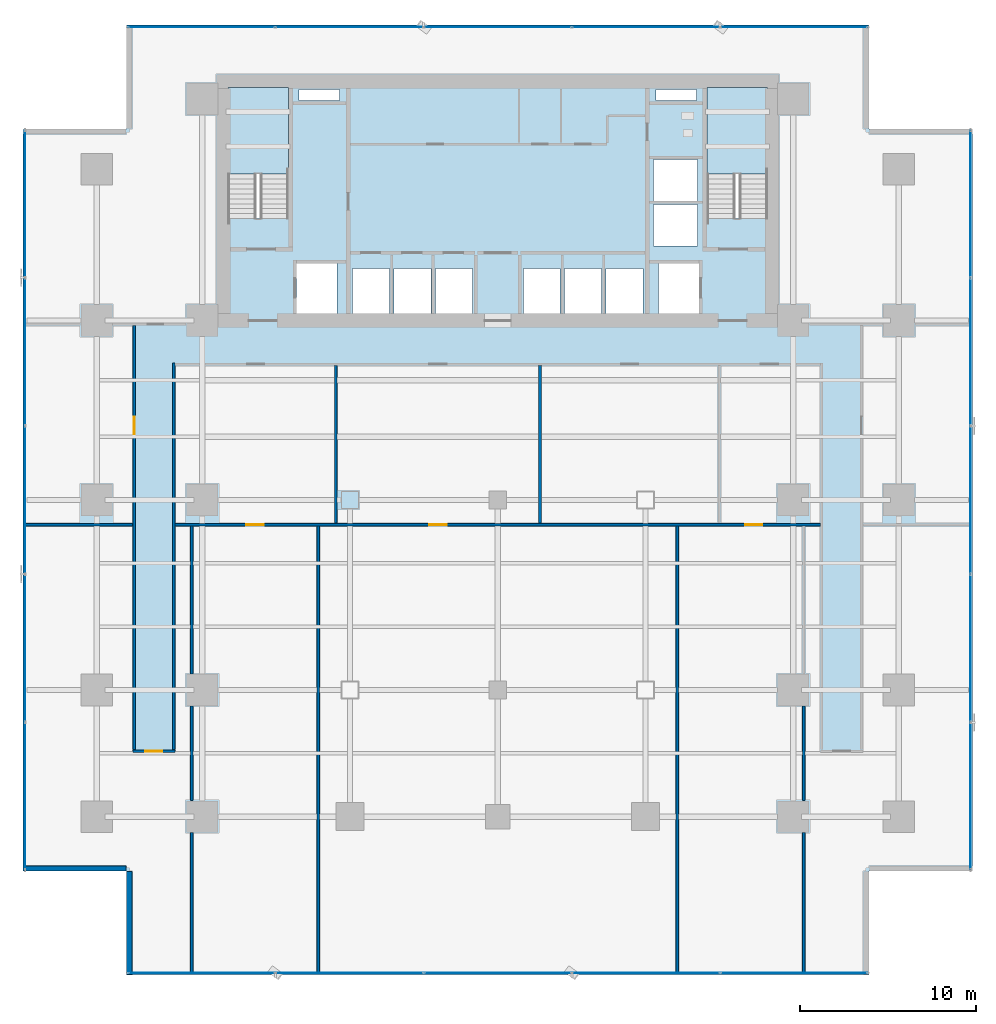
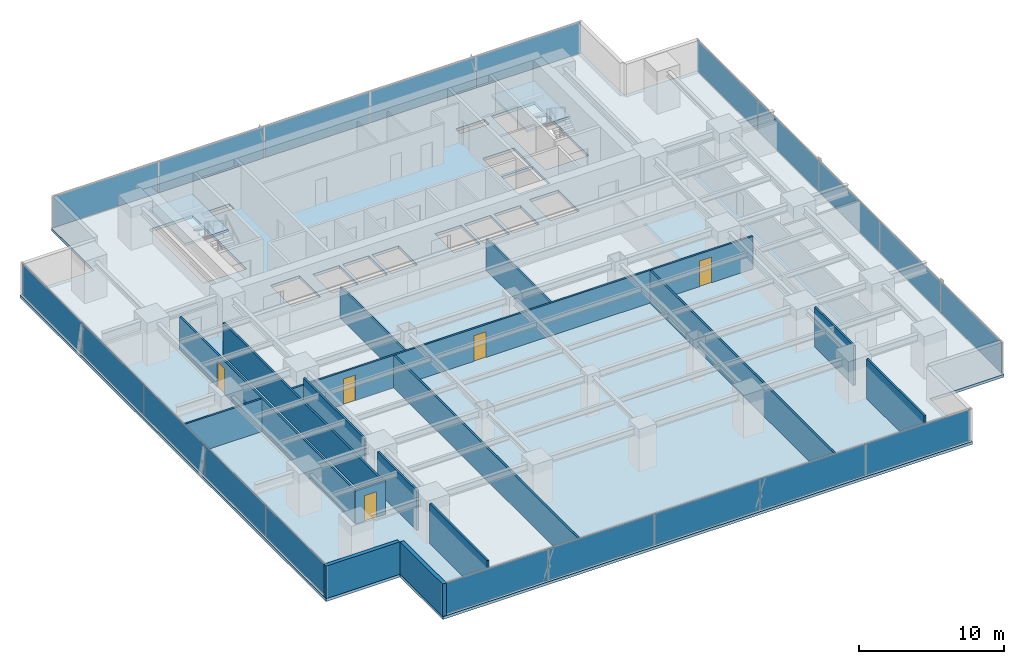
# One storey, part 23 of 32: 20 plates, 16 walls, 5 doors, 3 slabs, 5 openings, 6 elements without a shape of their own.
"""IFC4 building model written with IfcOpenShell, lengths in metres."""

from ifc_helpers import new_model, si_unit, direction, frame, frame_2d, origin, origin_2d, place, context, subcontext, project, spatial, polyline, rectangle, outline, extrude, source, transform, mapped, material, layer, layer_set, type_object, element, fill, aggregate, save


model = new_model("IFC4")

# Units and contexts
model_context = context("Model", 3, precision=1e-05, world=origin(), true_north=direction((0.0, 1.0)))
body_context = subcontext(model_context, "Body", "Model", "MODEL_VIEW")
ifc_project = project(units=[si_unit("LENGTHUNIT", "METRE"), si_unit("AREAUNIT", "SQUARE_METRE"), si_unit("VOLUMEUNIT", "CUBIC_METRE"), si_unit("PLANEANGLEUNIT", "RADIAN"), si_unit("MASSUNIT", "GRAM", prefix="KILO")], contexts=[model_context])

# Site, building, storey
site_placement = place(None, origin())
site = spatial("IfcSite", under=ifc_project, at=site_placement, CompositionType="ELEMENT")
building_placement = place(site_placement, origin())
building = spatial("IfcBuilding", under=site, at=building_placement, Name="Sumidabori Civic Tower", CompositionType="ELEMENT")
storey_placement = place(building_placement, frame((0.0, 0.0, 45.199951171875)))
storey = spatial("IfcBuildingStorey", under=building, at=storey_placement, Name="L11", CompositionType="ELEMENT", Elevation=45.199951171875)

# Stair, slab
ifc_material_1 = material(Name="Concrete C40/50", Category="concrete")
stair_type = type_object("IfcStairType", Name="ST-CORE-1600", PredefinedType="HALF_TURN_STAIR", material=ifc_material_1)
stair_1_placement = place(storey_placement, origin())
stair_1 = element("IfcStair", 1, at=stair_1_placement, inside=storey, type_object=stair_type, Name="L11 ST-1", PredefinedType="HALF_TURN_STAIR")
ifc_layer_1 = layer(ifc_material_1, 0.199951171875, Name="Concrete C40/50")
ifc_layer_set_1 = layer_set([ifc_layer_1], Name="Concrete C40/50")
slab_type_1 = type_object("IfcSlabType", Name="SL-LAND-200", PredefinedType="LANDING", material=ifc_layer_set_1)
slab_1_placement = place(storey_placement, frame((0.0, 0.0, 1.60009765625)))
slab_1 = element("IfcSlab", 2, at=slab_1_placement, type_object=slab_type_1, Name="ST-1 landing 1", PredefinedType="LANDING", context=body_context, shape_type="SweptSolid", body=[
    extrude(outline(polyline([(-11.89990234375, 18.52001953125), (-11.89990234375, 23.449951171875), (-15.340087890625, 23.449951171875), (-15.340087890625, 18.52001953125), (-11.89990234375, 18.52001953125)])), origin(), (0.0, 0.0, 1.0), 0.199951171875),
])
aggregate(stair_1, [slab_1])

stair_2_placement = place(storey_placement, origin())
stair_2 = element("IfcStair", 3, at=stair_2_placement, inside=storey, type_object=stair_type, Name="L11 ST-2", PredefinedType="HALF_TURN_STAIR")
slab_2_placement = place(storey_placement, frame((0.0, 0.0, 1.60009765625)))
slab_2 = element("IfcSlab", 4, at=slab_2_placement, type_object=slab_type_1, Name="ST-2 landing 1", PredefinedType="LANDING", context=body_context, shape_type="SweptSolid", body=[
    extrude(outline(polyline([(15.340087890625, 18.52001953125), (15.340087890625, 23.449951171875), (11.89990234375, 23.449951171875), (11.89990234375, 18.52001953125), (15.340087890625, 18.52001953125)])), origin(), (0.0, 0.0, 1.0), 0.199951171875),
])
aggregate(stair_2, [slab_2])

# Slab
ifc_layer_2 = layer(ifc_material_1, 0.239990234375, Name="Concrete C40/50")
ifc_layer_set_2 = layer_set([ifc_layer_2], Name="Concrete C40/50")
slab_type_2 = type_object("IfcSlabType", Name="SL-Z1-240", PredefinedType="FLOOR", material=ifc_layer_set_2)
slab_3_placement = place(storey_placement, frame((0.0, 0.0, -0.239990234375)))
element("IfcSlab", 5, at=slab_3_placement, inside=storey, type_object=slab_type_2, Name="Structural Slab L11", PredefinedType="FLOOR", context=body_context, shape_type="SweptSolid", body=[
    extrude(outline(polyline([(-21.10009765625, -27.0), (21.10009765625, -27.0), (21.10009765625, -21.10009765625), (27.0, -21.10009765625), (27.0, 21.10009765625), (21.10009765625, 21.10009765625), (21.10009765625, 27.0), (-21.10009765625, 27.0), (-21.10009765625, 21.10009765625), (-27.0, 21.10009765625), (-27.0, -21.10009765625), (-21.10009765625, -21.10009765625), (-21.10009765625, -27.0)]), holes=[polyline([(-11.89990234375, 16.0), (-11.89990234375, 23.449951171875), (-15.340087890625, 23.449951171875), (-15.340087890625, 16.0), (-11.89990234375, 16.0)]), polyline([(15.340087890625, 16.0), (15.340087890625, 23.449951171875), (11.89990234375, 23.449951171875), (11.89990234375, 16.0), (15.340087890625, 16.0)]), polyline([(-11.449951171875, 10.550048828125), (-9.14990234375, 10.550048828125), (-9.14990234375, 13.449951171875), (-11.449951171875, 13.449951171875), (-11.449951171875, 10.550048828125)]), polyline([(9.14990234375, 10.550048828125), (11.449951171875, 10.550048828125), (11.449951171875, 13.449951171875), (9.14990234375, 13.449951171875), (9.14990234375, 10.550048828125)]), polyline([(-8.25, 10.550048828125), (-6.14990234375, 10.550048828125), (-6.14990234375, 13.14990234375), (-8.25, 13.14990234375), (-8.25, 10.550048828125)]), polyline([(-5.89990234375, 10.550048828125), (-3.800048828125, 10.550048828125), (-3.800048828125, 13.14990234375), (-5.89990234375, 13.14990234375), (-5.89990234375, 10.550048828125)]), polyline([(-3.550048828125, 10.550048828125), (-1.449951171875, 10.550048828125), (-1.449951171875, 13.14990234375), (-3.550048828125, 13.14990234375), (-3.550048828125, 10.550048828125)]), polyline([(1.449951171875, 10.550048828125), (3.550048828125, 10.550048828125), (3.550048828125, 13.14990234375), (1.449951171875, 13.14990234375), (1.449951171875, 10.550048828125)]), polyline([(3.800048828125, 10.550048828125), (5.89990234375, 10.550048828125), (5.89990234375, 13.14990234375), (3.800048828125, 13.14990234375), (3.800048828125, 10.550048828125)]), polyline([(6.14990234375, 10.550048828125), (8.25, 10.550048828125), (8.25, 13.14990234375), (6.14990234375, 13.14990234375), (6.14990234375, 10.550048828125)]), polyline([(8.85009765625, 14.449951171875), (11.35009765625, 14.449951171875), (11.35009765625, 16.800048828125), (8.85009765625, 16.800048828125), (8.85009765625, 14.449951171875)]), polyline([(8.85009765625, 17.0), (11.35009765625, 17.0), (11.35009765625, 19.35009765625), (8.85009765625, 19.35009765625), (8.85009765625, 17.0)]), polyline([(-11.300048828125, 22.719970703125), (-9.0, 22.719970703125), (-9.0, 23.35009765625), (-11.300048828125, 23.35009765625), (-11.300048828125, 22.719970703125)]), polyline([(9.0, 22.719970703125), (11.300048828125, 22.719970703125), (11.300048828125, 23.35009765625), (9.0, 23.35009765625), (9.0, 22.719970703125)])]), origin(), (0.0, 0.0, 1.0), 0.239990234375),
])

# Curtain wall, plates
ifc_material_2 = material(Name="Anodised Bronze Aluminium AW-6063-T6", Category="aluminium")
ifc_layer_3 = layer(ifc_material_2, 0.179931640625, Name="Anodised Bronze Aluminium AW-6063-T6")
ifc_layer_set_3 = layer_set([ifc_layer_3], Name="Anodised Bronze Aluminium AW-6063-T6")
curtain_wall_type = type_object("IfcCurtainWallType", Name="CW-SYS-2", PredefinedType="NOTDEFINED", material=ifc_layer_set_3)
curtain_wall_1_placement = place(storey_placement, origin())
curtain_wall_1 = element("IfcCurtainWall", 6, at=curtain_wall_1_placement, inside=storey, type_object=curtain_wall_type, Name="Curtain Wall CW:L11:R01", PredefinedType="NOTDEFINED")
ifc_material_3 = material(Name="Low-E Solar-Control Vision Glazing", Category="glass")
ifc_layer_4 = layer(ifc_material_3, 0.028076171875, Name="Low-E Solar-Control Vision Glazing")
ifc_layer_set_4 = layer_set([ifc_layer_4], Name="Low-E Solar-Control Vision Glazing")
plate_type = type_object("IfcPlateType", Name="CW-PNL-28", PredefinedType="CURTAIN_PANEL", material=ifc_layer_set_4)
shared_shape_1 = source(origin(), body_context, "Body", "SweptSolid", [
    extrude(rectangle(XDim=8.322998046875, YDim=0.028076171875, at=origin_2d()), origin(), (0.0, 0.0, 1.0), 2.610107421875),
])
plate_1_placement = place(storey_placement, frame((-16.83837890625, -26.8798828125, 0.06494140625), z_axis=(0.0, 0.0, 1.0), x_axis=(1.0, 0.0, 0.0)))
plate_1 = element("IfcPlate", 7, at=plate_1_placement, type_object=plate_type, Name="CW-2 panel 1.1", PredefinedType="CURTAIN_PANEL", context=body_context, shape_type="MappedRepresentation", body=[
    mapped(shared_shape_1, transform((0.0, 0.0, 0.0), x_axis=(1.0, 0.0, 0.0), y_axis=(0.0, 1.0, 0.0), z_axis=(0.0, 0.0, 1.0), scale=1.0)),
])
plate_2_placement = place(storey_placement, frame((16.83837890625, -26.8798828125, 0.06494140625), z_axis=(0.0, 0.0, 1.0), x_axis=(1.0, 0.0, 0.0)))
plate_2 = element("IfcPlate", 8, at=plate_2_placement, type_object=plate_type, Name="CW-2 panel 5.1", PredefinedType="CURTAIN_PANEL", context=body_context, shape_type="MappedRepresentation", body=[
    mapped(shared_shape_1, transform((0.0, 0.0, 0.0), x_axis=(1.0, 0.0, 0.0), y_axis=(0.0, 1.0, 0.0), z_axis=(0.0, 0.0, 1.0), scale=1.0)),
])

curtain_wall_2_placement = place(storey_placement, origin())
curtain_wall_2 = element("IfcCurtainWall", 9, at=curtain_wall_2_placement, inside=storey, type_object=curtain_wall_type, Name="Curtain Wall CW:L11:R04", PredefinedType="NOTDEFINED")
plate_3_placement = place(storey_placement, frame((26.8798828125, -16.83837890625, 0.06494140625), z_axis=(0.0, 0.0, 1.0), x_axis=(0.0, 1.0, 0.0)))
plate_3 = element("IfcPlate", 10, at=plate_3_placement, type_object=plate_type, Name="CW-2 panel 1.1", PredefinedType="CURTAIN_PANEL", context=body_context, shape_type="MappedRepresentation", body=[
    mapped(shared_shape_1, transform((0.0, 0.0, 0.0), x_axis=(1.0, 0.0, 0.0), y_axis=(0.0, 1.0, 0.0), z_axis=(0.0, 0.0, 1.0), scale=1.0)),
])
plate_4_placement = place(storey_placement, frame((26.8798828125, 16.83837890625, 0.06494140625), z_axis=(0.0, 0.0, 1.0), x_axis=(0.0, 1.0, 0.0)))
plate_4 = element("IfcPlate", 11, at=plate_4_placement, type_object=plate_type, Name="CW-2 panel 5.1", PredefinedType="CURTAIN_PANEL", context=body_context, shape_type="MappedRepresentation", body=[
    mapped(shared_shape_1, transform((0.0, 0.0, 0.0), x_axis=(1.0, 0.0, 0.0), y_axis=(0.0, 1.0, 0.0), z_axis=(0.0, 0.0, 1.0), scale=1.0)),
])

curtain_wall_3_placement = place(storey_placement, origin())
curtain_wall_3 = element("IfcCurtainWall", 12, at=curtain_wall_3_placement, inside=storey, type_object=curtain_wall_type, Name="Curtain Wall CW:L11:R07", PredefinedType="NOTDEFINED")
plate_5_placement = place(storey_placement, frame((16.83837890625, 26.8798828125, 0.06494140625), z_axis=(0.0, 0.0, 1.0), x_axis=(-1.0, 0.0, 0.0)))
plate_5 = element("IfcPlate", 13, at=plate_5_placement, type_object=plate_type, Name="CW-2 panel 1.1", PredefinedType="CURTAIN_PANEL", context=body_context, shape_type="MappedRepresentation", body=[
    mapped(shared_shape_1, transform((0.0, 0.0, 0.0), x_axis=(1.0, 0.0, 0.0), y_axis=(0.0, 1.0, 0.0), z_axis=(0.0, 0.0, 1.0), scale=1.0)),
])
plate_6_placement = place(storey_placement, frame((-16.83837890625, 26.8798828125, 0.06494140625), z_axis=(0.0, 0.0, 1.0), x_axis=(-1.0, 0.0, 0.0)))
plate_6 = element("IfcPlate", 14, at=plate_6_placement, type_object=plate_type, Name="CW-2 panel 5.1", PredefinedType="CURTAIN_PANEL", context=body_context, shape_type="MappedRepresentation", body=[
    mapped(shared_shape_1, transform((0.0, 0.0, 0.0), x_axis=(1.0, 0.0, 0.0), y_axis=(0.0, 1.0, 0.0), z_axis=(0.0, 0.0, 1.0), scale=1.0)),
])

curtain_wall_4_placement = place(storey_placement, origin())
curtain_wall_4 = element("IfcCurtainWall", 15, at=curtain_wall_4_placement, inside=storey, type_object=curtain_wall_type, Name="Curtain Wall CW:L11:R10", PredefinedType="NOTDEFINED")
plate_7_placement = place(storey_placement, frame((-26.8798828125, 16.83837890625, 0.06494140625), z_axis=(0.0, 0.0, 1.0), x_axis=(0.0, -1.0, 0.0)))
plate_7 = element("IfcPlate", 16, at=plate_7_placement, type_object=plate_type, Name="CW-2 panel 1.1", PredefinedType="CURTAIN_PANEL", context=body_context, shape_type="MappedRepresentation", body=[
    mapped(shared_shape_1, transform((0.0, 0.0, 0.0), x_axis=(1.0, 0.0, 0.0), y_axis=(0.0, 1.0, 0.0), z_axis=(0.0, 0.0, 1.0), scale=1.0)),
])
plate_8_placement = place(storey_placement, frame((-26.8798828125, -16.83837890625, 0.06494140625), z_axis=(0.0, 0.0, 1.0), x_axis=(0.0, -1.0, 0.0)))
plate_8 = element("IfcPlate", 17, at=plate_8_placement, type_object=plate_type, Name="CW-2 panel 5.1", PredefinedType="CURTAIN_PANEL", context=body_context, shape_type="MappedRepresentation", body=[
    mapped(shared_shape_1, transform((0.0, 0.0, 0.0), x_axis=(1.0, 0.0, 0.0), y_axis=(0.0, 1.0, 0.0), z_axis=(0.0, 0.0, 1.0), scale=1.0)),
])

# Plate
shared_shape_2 = source(origin(), body_context, "Body", "SweptSolid", [
    extrude(rectangle(XDim=8.35791015625, YDim=0.028076171875, at=origin_2d()), origin(), (0.0, 0.0, 1.0), 2.610107421875),
])
plate_9_placement = place(storey_placement, frame((-8.427978515625, -26.8798828125, 0.06494140625), z_axis=(0.0, 0.0, 1.0), x_axis=(1.0, 0.0, 0.0)))
plate_9 = element("IfcPlate", 18, at=plate_9_placement, type_object=plate_type, Name="CW-2 panel 2.1", PredefinedType="CURTAIN_PANEL", context=body_context, shape_type="MappedRepresentation", body=[
    mapped(shared_shape_2, transform((0.0, 0.0, 0.0), x_axis=(1.0, 0.0, 0.0), y_axis=(0.0, 1.0, 0.0), z_axis=(0.0, 0.0, 1.0), scale=1.0)),
])

plate_10_placement = place(storey_placement, frame((0.0, -26.8798828125, 0.06494140625), z_axis=(0.0, 0.0, 1.0), x_axis=(1.0, 0.0, 0.0)))
plate_10 = element("IfcPlate", 19, at=plate_10_placement, type_object=plate_type, Name="CW-2 panel 3.1", PredefinedType="CURTAIN_PANEL", context=body_context, shape_type="MappedRepresentation", body=[
    mapped(shared_shape_2, transform((0.0, 0.0, 0.0), x_axis=(1.0, 0.0, 0.0), y_axis=(0.0, 1.0, 0.0), z_axis=(0.0, 0.0, 1.0), scale=1.0)),
])

plate_11_placement = place(storey_placement, frame((8.427978515625, -26.8798828125, 0.06494140625), z_axis=(0.0, 0.0, 1.0), x_axis=(1.0, 0.0, 0.0)))
plate_11 = element("IfcPlate", 20, at=plate_11_placement, type_object=plate_type, Name="CW-2 panel 4.1", PredefinedType="CURTAIN_PANEL", context=body_context, shape_type="MappedRepresentation", body=[
    mapped(shared_shape_2, transform((0.0, 0.0, 0.0), x_axis=(1.0, 0.0, 0.0), y_axis=(0.0, 1.0, 0.0), z_axis=(0.0, 0.0, 1.0), scale=1.0)),
])

aggregate(curtain_wall_1, [plate_1, plate_9, plate_10, plate_11, plate_2])

plate_12_placement = place(storey_placement, frame((26.8798828125, -8.427978515625, 0.06494140625), z_axis=(0.0, 0.0, 1.0), x_axis=(0.0, 1.0, 0.0)))
plate_12 = element("IfcPlate", 21, at=plate_12_placement, type_object=plate_type, Name="CW-2 panel 2.1", PredefinedType="CURTAIN_PANEL", context=body_context, shape_type="MappedRepresentation", body=[
    mapped(shared_shape_2, transform((0.0, 0.0, 0.0), x_axis=(1.0, 0.0, 0.0), y_axis=(0.0, 1.0, 0.0), z_axis=(0.0, 0.0, 1.0), scale=1.0)),
])

plate_13_placement = place(storey_placement, frame((26.8798828125, 0.0, 0.06494140625), z_axis=(0.0, 0.0, 1.0), x_axis=(0.0, 1.0, 0.0)))
plate_13 = element("IfcPlate", 22, at=plate_13_placement, type_object=plate_type, Name="CW-2 panel 3.1", PredefinedType="CURTAIN_PANEL", context=body_context, shape_type="MappedRepresentation", body=[
    mapped(shared_shape_2, transform((0.0, 0.0, 0.0), x_axis=(1.0, 0.0, 0.0), y_axis=(0.0, 1.0, 0.0), z_axis=(0.0, 0.0, 1.0), scale=1.0)),
])

plate_14_placement = place(storey_placement, frame((26.8798828125, 8.427978515625, 0.06494140625), z_axis=(0.0, 0.0, 1.0), x_axis=(0.0, 1.0, 0.0)))
plate_14 = element("IfcPlate", 23, at=plate_14_placement, type_object=plate_type, Name="CW-2 panel 4.1", PredefinedType="CURTAIN_PANEL", context=body_context, shape_type="MappedRepresentation", body=[
    mapped(shared_shape_2, transform((0.0, 0.0, 0.0), x_axis=(1.0, 0.0, 0.0), y_axis=(0.0, 1.0, 0.0), z_axis=(0.0, 0.0, 1.0), scale=1.0)),
])

aggregate(curtain_wall_2, [plate_3, plate_12, plate_13, plate_14, plate_4])

plate_15_placement = place(storey_placement, frame((8.427978515625, 26.8798828125, 0.06494140625), z_axis=(0.0, 0.0, 1.0), x_axis=(-1.0, 0.0, 0.0)))
plate_15 = element("IfcPlate", 24, at=plate_15_placement, type_object=plate_type, Name="CW-2 panel 2.1", PredefinedType="CURTAIN_PANEL", context=body_context, shape_type="MappedRepresentation", body=[
    mapped(shared_shape_2, transform((0.0, 0.0, 0.0), x_axis=(1.0, 0.0, 0.0), y_axis=(0.0, 1.0, 0.0), z_axis=(0.0, 0.0, 1.0), scale=1.0)),
])

plate_16_placement = place(storey_placement, frame((0.0, 26.8798828125, 0.06494140625), z_axis=(0.0, 0.0, 1.0), x_axis=(-1.0, 0.0, 0.0)))
plate_16 = element("IfcPlate", 25, at=plate_16_placement, type_object=plate_type, Name="CW-2 panel 3.1", PredefinedType="CURTAIN_PANEL", context=body_context, shape_type="MappedRepresentation", body=[
    mapped(shared_shape_2, transform((0.0, 0.0, 0.0), x_axis=(1.0, 0.0, 0.0), y_axis=(0.0, 1.0, 0.0), z_axis=(0.0, 0.0, 1.0), scale=1.0)),
])

plate_17_placement = place(storey_placement, frame((-8.427978515625, 26.8798828125, 0.06494140625), z_axis=(0.0, 0.0, 1.0), x_axis=(-1.0, 0.0, 0.0)))
plate_17 = element("IfcPlate", 26, at=plate_17_placement, type_object=plate_type, Name="CW-2 panel 4.1", PredefinedType="CURTAIN_PANEL", context=body_context, shape_type="MappedRepresentation", body=[
    mapped(shared_shape_2, transform((0.0, 0.0, 0.0), x_axis=(1.0, 0.0, 0.0), y_axis=(0.0, 1.0, 0.0), z_axis=(0.0, 0.0, 1.0), scale=1.0)),
])

aggregate(curtain_wall_3, [plate_5, plate_15, plate_16, plate_17, plate_6])

plate_18_placement = place(storey_placement, frame((-26.8798828125, 8.427978515625, 0.06494140625), z_axis=(0.0, 0.0, 1.0), x_axis=(0.0, -1.0, 0.0)))
plate_18 = element("IfcPlate", 27, at=plate_18_placement, type_object=plate_type, Name="CW-2 panel 2.1", PredefinedType="CURTAIN_PANEL", context=body_context, shape_type="MappedRepresentation", body=[
    mapped(shared_shape_2, transform((0.0, 0.0, 0.0), x_axis=(1.0, 0.0, 0.0), y_axis=(0.0, 1.0, 0.0), z_axis=(0.0, 0.0, 1.0), scale=1.0)),
])

plate_19_placement = place(storey_placement, frame((-26.8798828125, 0.0, 0.06494140625), z_axis=(0.0, 0.0, 1.0), x_axis=(0.0, -1.0, 0.0)))
plate_19 = element("IfcPlate", 28, at=plate_19_placement, type_object=plate_type, Name="CW-2 panel 3.1", PredefinedType="CURTAIN_PANEL", context=body_context, shape_type="MappedRepresentation", body=[
    mapped(shared_shape_2, transform((0.0, 0.0, 0.0), x_axis=(1.0, 0.0, 0.0), y_axis=(0.0, 1.0, 0.0), z_axis=(0.0, 0.0, 1.0), scale=1.0)),
])

plate_20_placement = place(storey_placement, frame((-26.8798828125, -8.427978515625, 0.06494140625), z_axis=(0.0, 0.0, 1.0), x_axis=(0.0, -1.0, 0.0)))
plate_20 = element("IfcPlate", 29, at=plate_20_placement, type_object=plate_type, Name="CW-2 panel 4.1", PredefinedType="CURTAIN_PANEL", context=body_context, shape_type="MappedRepresentation", body=[
    mapped(shared_shape_2, transform((0.0, 0.0, 0.0), x_axis=(1.0, 0.0, 0.0), y_axis=(0.0, 1.0, 0.0), z_axis=(0.0, 0.0, 1.0), scale=1.0)),
])

aggregate(curtain_wall_4, [plate_7, plate_18, plate_19, plate_20, plate_8])

# Walls
ifc_material_4 = material(Name="Precast concrete C40/50", Category="concrete")
ifc_layer_5 = layer(ifc_material_4, 0.300048828125, Name="Precast concrete C40/50")
ifc_layer_set_5 = layer_set([ifc_layer_5], Name="Precast concrete C40/50")
wall_type_1 = type_object("IfcWallType", Name="WL-EXT-POD300", PredefinedType="STANDARD", material=ifc_layer_set_5)
shared_shape_3 = source(origin(), body_context, "Body", "SweptSolid", [
    extrude(rectangle(XDim=5.85986328125, YDim=0.300048828125, at=frame_2d((2.929931640625, 0.0))), origin(), (0.0, 0.0, 1.0), 2.739990234375),
])
for number, where, z_axis, x_axis, name in (
    (30, (-26.97998046875, -20.949951171875, 0.0), (0.0, 0.0, 1.0), (1.0, 0.0, 0.0), "Notched Corner Spandrel Band L11-11"),
    (31, (-20.949951171875, -21.1201171875, 0.0), (0.0, 0.0, 1.0), (0.0, -1.0, 0.0), "Notched Corner Spandrel Band L11-12"),
):
    element("IfcWall", number, at=place(storey_placement, frame(where, z_axis=z_axis, x_axis=x_axis)), inside=storey, type_object=wall_type_1, Name=name, PredefinedType="STANDARD", context=body_context, shape_type="MappedRepresentation", body=[
        mapped(shared_shape_3, transform((0.0, 0.0, 0.0), x_axis=(1.0, 0.0, 0.0), y_axis=(0.0, 1.0, 0.0), z_axis=(0.0, 0.0, 1.0), scale=1.0)),
    ])

# Wall, opening, door
ifc_material_5 = material(Name="Gypsum Plasterboard Acoustic Partition")
ifc_layer_6 = layer(ifc_material_5, 0.14990234375, Name="Gypsum Plasterboard Acoustic Partition")
ifc_layer_set_6 = layer_set([ifc_layer_6], Name="Gypsum Plasterboard Acoustic Partition")
wall_type_2 = type_object("IfcWallType", Name="WL-PART-150", PredefinedType="PARTITIONING", material=ifc_layer_set_6)
shared_shape_4 = source(origin(), body_context, "Body", "SweptSolid", [
    extrude(rectangle(XDim=2.39990234375, YDim=0.14990234375, at=frame_2d((1.199951171875, 0.0))), origin(), (0.0, 0.0, 1.0), 2.89501953125),
])
wall_1_placement = place(storey_placement, frame((-20.75, -14.27490234375, 0.0), z_axis=(0.0, 0.0, 1.0), x_axis=(1.0, 0.0, 0.0)))
wall_1 = element("IfcWall", 32, at=wall_1_placement, inside=storey, type_object=wall_type_2, Name="Interior Partition WL:L11:CORR-CAP-W", PredefinedType="PARTITIONING", context=body_context, shape_type="MappedRepresentation", body=[
    mapped(shared_shape_4, transform((0.0, 0.0, 0.0), x_axis=(1.0, 0.0, 0.0), y_axis=(0.0, 1.0, 0.0), z_axis=(0.0, 0.0, 1.0), scale=1.0)),
])
opening_1_placement = place(wall_1_placement, frame((0.7099609375, 0.0, 0.0)))
opening_1 = element("IfcOpeningElement", 33, at=opening_1_placement, cuts=wall_1, Name="Opening DR-3", PredefinedType="OPENING", context=body_context, shape_type="SweptSolid", body=[
    extrude(rectangle(XDim=0.97998046875, YDim=2.14990234375, at=frame_2d((0.489990234375, 1.074951171875))), frame((0.0, 0.0869140625, 0.0), z_axis=(0.0, -1.0, 0.0), x_axis=(1.0, 0.0, 0.0)), (0.0, 0.0, 1.0), 0.173828125),
])
ifc_material_6 = material(Name="Japanese Hinoki Timber", Category="wood")
door_type = type_object("IfcDoorType", Name="DR-INT-980", OperationType="NOTDEFINED", PredefinedType="DOOR", material=ifc_material_6)
shared_shape_5 = source(origin(), body_context, "Body", "SweptSolid", [
    extrude(rectangle(XDim=0.97998046875, YDim=2.14990234375, at=frame_2d((0.489990234375, 1.074951171875))), frame((0.0, 0.02490234375, 0.0), z_axis=(0.0, -1.0, 0.0), x_axis=(1.0, 0.0, 0.0)), (0.0, 0.0, 1.0), 0.050048828125),
])
door_1_placement = place(opening_1_placement, origin())
door_1 = element("IfcDoor", 34, at=door_1_placement, inside=storey, type_object=door_type, Name="Door DR:L11:D08", OperationType="SINGLE_SWING_RIGHT", OverallHeight=2.14990234375, OverallWidth=0.97998046875, PredefinedType="DOOR", context=body_context, shape_type="MappedRepresentation", body=[
    mapped(shared_shape_5, transform((0.0, 0.0, 0.0), x_axis=(1.0, 0.0, 0.0), y_axis=(0.0, 1.0, 0.0), z_axis=(0.0, 0.0, 1.0), scale=1.0)),
])
fill(opening_1, door_1)

shared_shape_6 = source(origin(), body_context, "Body", "SweptSolid", [
    extrude(rectangle(XDim=24.114990234375, YDim=0.14990234375, at=frame_2d((12.0576171875, 0.0))), origin(), (0.0, 0.0, 1.0), 2.7451171875),
])
wall_2_placement = place(storey_placement, frame((-20.675048828125, -14.195068359375, 0.0), z_axis=(0.0, 0.0, 1.0), x_axis=(0.0, 1.0, 0.0)))
wall_2 = element("IfcWall", 35, at=wall_2_placement, inside=storey, type_object=wall_type_2, Name="Interior Partition WL:L11:CORR-VW-OUT", PredefinedType="PARTITIONING", context=body_context, shape_type="MappedRepresentation", body=[
    mapped(shared_shape_6, transform((0.0, 0.0, 0.0), x_axis=(1.0, 0.0, 0.0), y_axis=(0.0, 1.0, 0.0), z_axis=(0.0, 0.0, 1.0), scale=1.0)),
])
opening_2_placement = place(wall_2_placement, frame((17.9423828125, 0.0, 0.0)))
opening_2 = element("IfcOpeningElement", 36, at=opening_2_placement, cuts=wall_2, Name="Opening DR-3", PredefinedType="OPENING", context=body_context, shape_type="SweptSolid", body=[
    extrude(rectangle(XDim=0.97998046875, YDim=2.14990234375, at=frame_2d((0.489990234375, 1.074951171875))), frame((0.0, 0.0869140625, 0.0), z_axis=(0.0, -1.0, 0.0), x_axis=(1.0, 0.0, 0.0)), (0.0, 0.0, 1.0), 0.173828125),
])
door_2_placement = place(opening_2_placement, origin())
door_2 = element("IfcDoor", 37, at=door_2_placement, inside=storey, type_object=door_type, Name="Door DR:L11:D02", OperationType="SINGLE_SWING_RIGHT", OverallHeight=2.14990234375, OverallWidth=0.97998046875, PredefinedType="DOOR", context=body_context, shape_type="MappedRepresentation", body=[
    mapped(shared_shape_5, transform((0.0, 0.0, 0.0), x_axis=(1.0, 0.0, 0.0), y_axis=(0.0, 1.0, 0.0), z_axis=(0.0, 0.0, 1.0), scale=1.0)),
])
fill(opening_2, door_2)

# Walls
shared_shape_7 = source(origin(), body_context, "Body", "SweptSolid", [
    extrude(rectangle(XDim=21.9951171875, YDim=0.14990234375, at=frame_2d((10.99755859375, 0.0))), origin(), (0.0, 0.0, 1.0), 2.7451171875),
])
wall_3_placement = place(storey_placement, frame((-18.425048828125, -14.195068359375, 0.0), z_axis=(0.0, 0.0, 1.0), x_axis=(0.0, 1.0, 0.0)))
element("IfcWall", 38, at=wall_3_placement, inside=storey, type_object=wall_type_2, Name="Interior Partition WL:L11:CORR-VW-IN", PredefinedType="PARTITIONING", context=body_context, shape_type="MappedRepresentation", body=[
    mapped(shared_shape_7, transform((0.0, 0.0, 0.0), x_axis=(1.0, 0.0, 0.0), y_axis=(0.0, 1.0, 0.0), z_axis=(0.0, 0.0, 1.0), scale=1.0)),
])
shared_shape_8 = source(origin(), body_context, "Body", "SweptSolid", [
    extrude(rectangle(XDim=6.09521484375, YDim=0.14990234375, at=frame_2d((3.047607421875, 0.0))), origin(), (0.0, 0.0, 1.0), 2.7451171875),
])
wall_4_placement = place(storey_placement, frame((-26.85009765625, -1.39990234375, 0.0), z_axis=(0.0, 0.0, 1.0), x_axis=(1.0, 0.0, 0.0)))
element("IfcWall", 39, at=wall_4_placement, inside=storey, type_object=wall_type_2, Name="Interior Partition WL:L11:BAND-Y-1", PredefinedType="PARTITIONING", context=body_context, shape_type="MappedRepresentation", body=[
    mapped(shared_shape_8, transform((0.0, 0.0, 0.0), x_axis=(1.0, 0.0, 0.0), y_axis=(0.0, 1.0, 0.0), z_axis=(0.0, 0.0, 1.0), scale=1.0)),
])

# Wall, openings, doors
shared_shape_9 = source(origin(), body_context, "Body", "SweptSolid", [
    extrude(rectangle(XDim=36.68994140625, YDim=0.14990234375, at=frame_2d((18.344970703125, 0.0))), origin(), (0.0, 0.0, 1.0), 2.7451171875),
])
wall_5_placement = place(storey_placement, frame((-18.344970703125, -1.39990234375, 0.0), z_axis=(0.0, 0.0, 1.0), x_axis=(1.0, 0.0, 0.0)))
wall_5 = element("IfcWall", 40, at=wall_5_placement, inside=storey, type_object=wall_type_2, Name="Interior Partition WL:L11:BAND-Y-2", PredefinedType="PARTITIONING", context=body_context, shape_type="MappedRepresentation", body=[
    mapped(shared_shape_9, transform((0.0, 0.0, 0.0), x_axis=(1.0, 0.0, 0.0), y_axis=(0.0, 1.0, 0.0), z_axis=(0.0, 0.0, 1.0), scale=1.0)),
])
opening_3_placement = place(wall_5_placement, frame((14.455078125, 0.0, 0.0)))
opening_3 = element("IfcOpeningElement", 41, at=opening_3_placement, cuts=wall_5, Name="Opening DR-3", PredefinedType="OPENING", context=body_context, shape_type="SweptSolid", body=[
    extrude(rectangle(XDim=0.97998046875, YDim=2.14990234375, at=frame_2d((0.489990234375, 1.074951171875))), frame((0.0, 0.0869140625, 0.0), z_axis=(0.0, -1.0, 0.0), x_axis=(1.0, 0.0, 0.0)), (0.0, 0.0, 1.0), 0.173828125),
])
opening_4_placement = place(wall_5_placement, frame((4.054931640625, 0.0, 0.0)))
opening_4 = element("IfcOpeningElement", 42, at=opening_4_placement, cuts=wall_5, Name="Opening DR-3", PredefinedType="OPENING", context=body_context, shape_type="SweptSolid", body=[
    extrude(rectangle(XDim=0.97998046875, YDim=2.14990234375, at=frame_2d((0.489990234375, 1.074951171875))), frame((0.0, 0.0869140625, 0.0), z_axis=(0.0, -1.0, 0.0), x_axis=(1.0, 0.0, 0.0)), (0.0, 0.0, 1.0), 0.173828125),
])
opening_5_placement = place(wall_5_placement, frame((32.4150390625, 0.0, 0.0)))
opening_5 = element("IfcOpeningElement", 43, at=opening_5_placement, cuts=wall_5, Name="Opening DR-3", PredefinedType="OPENING", context=body_context, shape_type="SweptSolid", body=[
    extrude(rectangle(XDim=0.97998046875, YDim=2.14990234375, at=frame_2d((0.489990234375, 1.074951171875))), frame((0.0, 0.0869140625, 0.0), z_axis=(0.0, -1.0, 0.0), x_axis=(1.0, 0.0, 0.0)), (0.0, 0.0, 1.0), 0.173828125),
])
door_3_placement = place(opening_3_placement, origin())
door_3 = element("IfcDoor", 44, at=door_3_placement, inside=storey, type_object=door_type, Name="Door DR:L11:D10", OperationType="SINGLE_SWING_RIGHT", OverallHeight=2.14990234375, OverallWidth=0.97998046875, PredefinedType="DOOR", context=body_context, shape_type="MappedRepresentation", body=[
    mapped(shared_shape_5, transform((0.0, 0.0, 0.0), x_axis=(1.0, 0.0, 0.0), y_axis=(0.0, 1.0, 0.0), z_axis=(0.0, 0.0, 1.0), scale=1.0)),
])
fill(opening_3, door_3)
door_4_placement = place(opening_4_placement, origin())
door_4 = element("IfcDoor", 45, at=door_4_placement, inside=storey, type_object=door_type, Name="Door DR:L11:D11", OperationType="SINGLE_SWING_LEFT", OverallHeight=2.14990234375, OverallWidth=0.97998046875, PredefinedType="DOOR", context=body_context, shape_type="MappedRepresentation", body=[
    mapped(shared_shape_5, transform((0.0, 0.0, 0.0), x_axis=(1.0, 0.0, 0.0), y_axis=(0.0, 1.0, 0.0), z_axis=(0.0, 0.0, 1.0), scale=1.0)),
])
fill(opening_4, door_4)
door_5_placement = place(opening_5_placement, origin())
door_5 = element("IfcDoor", 46, at=door_5_placement, inside=storey, type_object=door_type, Name="Door DR:L11:D12", OperationType="SINGLE_SWING_RIGHT", OverallHeight=2.14990234375, OverallWidth=0.97998046875, PredefinedType="DOOR", context=body_context, shape_type="MappedRepresentation", body=[
    mapped(shared_shape_5, transform((0.0, 0.0, 0.0), x_axis=(1.0, 0.0, 0.0), y_axis=(0.0, 1.0, 0.0), z_axis=(0.0, 0.0, 1.0), scale=1.0)),
])
fill(opening_5, door_5)

# Walls
shared_shape_10 = source(origin(), body_context, "Body", "SweptSolid", [
    extrude(rectangle(XDim=8.965087890625, YDim=0.14990234375, at=frame_2d((4.482421875, 0.0))), origin(), (0.0, 0.0, 1.0), 2.64501953125),
])
for number, where, z_axis, x_axis, name in (
    (47, (-9.199951171875, -1.320068359375, 0.0), (0.0, 0.0, 1.0), (0.0, 1.0, 0.0), "Interior Partition WL:L11:VX-N2"),
    (48, (2.39990234375, -1.320068359375, 0.0), (0.0, 0.0, 1.0), (0.0, 1.0, 0.0), "Interior Partition WL:L11:VX-N3"),
):
    element("IfcWall", number, at=place(storey_placement, frame(where, z_axis=z_axis, x_axis=x_axis)), inside=storey, type_object=wall_type_2, Name=name, PredefinedType="PARTITIONING", context=body_context, shape_type="MappedRepresentation", body=[
        mapped(shared_shape_10, transform((0.0, 0.0, 0.0), x_axis=(1.0, 0.0, 0.0), y_axis=(0.0, 1.0, 0.0), z_axis=(0.0, 0.0, 1.0), scale=1.0)),
    ])
shared_shape_11 = source(origin(), body_context, "Body", "SweptSolid", [
    extrude(rectangle(XDim=7.940185546875, YDim=0.14990234375, at=frame_2d((3.97021484375, 0.0))), origin(), (0.0, 0.0, 1.0), 3.360107421875),
])
for number, where, z_axis, x_axis, name in (
    (49, (-17.39990234375, -26.85009765625, 0.0), (0.0, 0.0, 1.0), (0.0, 1.0, 0.0), "Interior Partition WL:L11:VX-S1-1"),
    (50, (17.39990234375, -26.85009765625, 0.0), (0.0, 0.0, 1.0), (0.0, 1.0, 0.0), "Interior Partition WL:L11:VX-S4-1"),
):
    element("IfcWall", number, at=place(storey_placement, frame(where, z_axis=z_axis, x_axis=x_axis)), inside=storey, type_object=wall_type_2, Name=name, PredefinedType="PARTITIONING", context=body_context, shape_type="MappedRepresentation", body=[
        mapped(shared_shape_11, transform((0.0, 0.0, 0.0), x_axis=(1.0, 0.0, 0.0), y_axis=(0.0, 1.0, 0.0), z_axis=(0.0, 0.0, 1.0), scale=1.0)),
    ])
shared_shape_12 = source(origin(), body_context, "Body", "SweptSolid", [
    extrude(rectangle(XDim=5.380126953125, YDim=0.14990234375, at=frame_2d((2.68994140625, 0.0))), origin(), (0.0, 0.0, 1.0), 3.360107421875),
])
for number, where, z_axis, x_axis, name in (
    (51, (-17.39990234375, -17.090087890625, 0.0), (0.0, 0.0, 1.0), (0.0, 1.0, 0.0), "Interior Partition WL:L11:VX-S1-2"),
    (52, (17.39990234375, -17.090087890625, 0.0), (0.0, 0.0, 1.0), (0.0, 1.0, 0.0), "Interior Partition WL:L11:VX-S4-2"),
):
    element("IfcWall", number, at=place(storey_placement, frame(where, z_axis=z_axis, x_axis=x_axis)), inside=storey, type_object=wall_type_2, Name=name, PredefinedType="PARTITIONING", context=body_context, shape_type="MappedRepresentation", body=[
        mapped(shared_shape_12, transform((0.0, 0.0, 0.0), x_axis=(1.0, 0.0, 0.0), y_axis=(0.0, 1.0, 0.0), z_axis=(0.0, 0.0, 1.0), scale=1.0)),
    ])
shared_shape_13 = source(origin(), body_context, "Body", "SweptSolid", [
    extrude(rectangle(XDim=8.409912109375, YDim=0.14990234375, at=frame_2d((4.205078125, 0.0))), origin(), (0.0, 0.0, 1.0), 3.360107421875),
])
wall_6_placement = place(storey_placement, frame((-17.39990234375, -9.889892578125, 0.0), z_axis=(0.0, 0.0, 1.0), x_axis=(0.0, 1.0, 0.0)))
element("IfcWall", 53, at=wall_6_placement, inside=storey, type_object=wall_type_2, Name="Interior Partition WL:L11:VX-S1-3", PredefinedType="PARTITIONING", context=body_context, shape_type="MappedRepresentation", body=[
    mapped(shared_shape_13, transform((0.0, 0.0, 0.0), x_axis=(1.0, 0.0, 0.0), y_axis=(0.0, 1.0, 0.0), z_axis=(0.0, 0.0, 1.0), scale=1.0)),
])
shared_shape_14 = source(origin(), body_context, "Body", "SweptSolid", [
    extrude(rectangle(XDim=25.3701171875, YDim=0.14990234375, at=frame_2d((12.68505859375, 0.0))), origin(), (0.0, 0.0, 1.0), 2.7451171875),
])
for number, where, z_axis, x_axis, name in (
    (54, (-10.199951171875, -26.85009765625, 0.0), (0.0, 0.0, 1.0), (0.0, 1.0, 0.0), "Interior Partition WL:L11:VX-S2"),
    (55, (10.199951171875, -26.85009765625, 0.0), (0.0, 0.0, 1.0), (0.0, 1.0, 0.0), "Interior Partition WL:L11:VX-S3"),
):
    element("IfcWall", number, at=place(storey_placement, frame(where, z_axis=z_axis, x_axis=x_axis)), inside=storey, type_object=wall_type_2, Name=name, PredefinedType="PARTITIONING", context=body_context, shape_type="MappedRepresentation", body=[
        mapped(shared_shape_14, transform((0.0, 0.0, 0.0), x_axis=(1.0, 0.0, 0.0), y_axis=(0.0, 1.0, 0.0), z_axis=(0.0, 0.0, 1.0), scale=1.0)),
    ])

save(model, "model.ifc")
